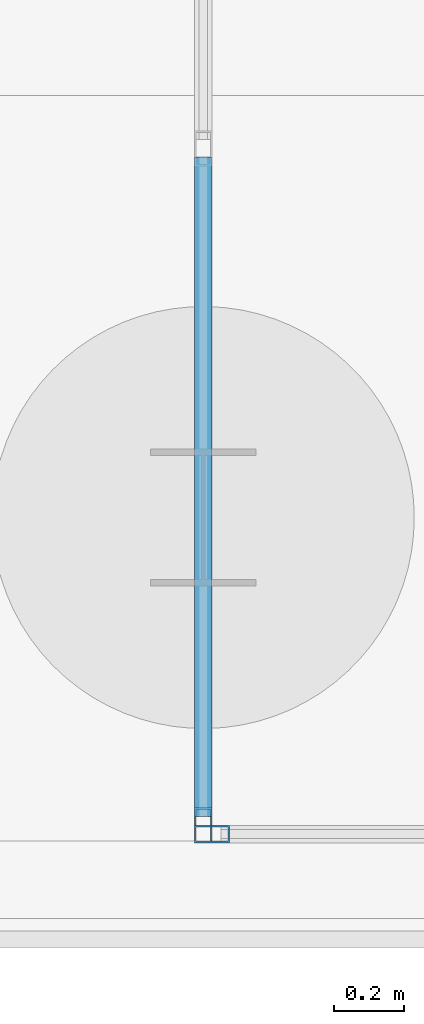
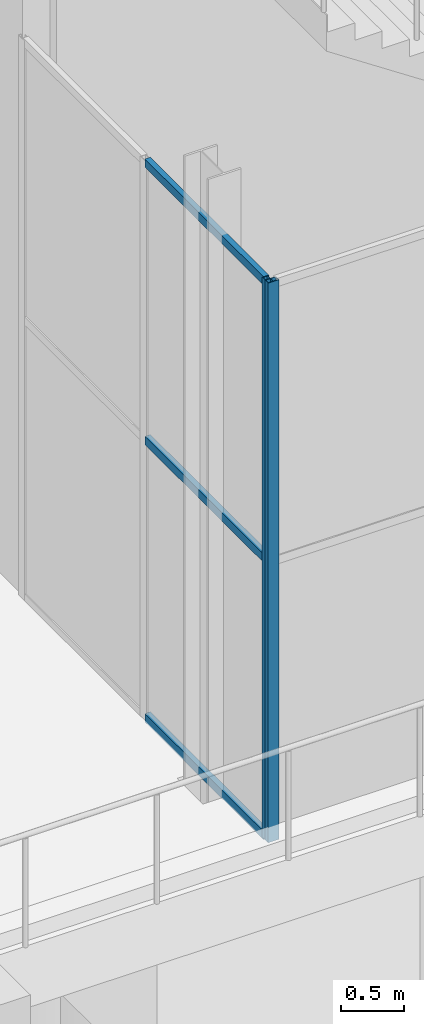
# One storey, part 114 of 212: 5 members, 2 elements without a shape of their own.
"""IFC4 building model written with IfcOpenShell, lengths in metres."""

from ifc_helpers import new_model, si_unit, direction, frame, origin, origin_2d, place, context, subcontext, project, spatial, hollow_rectangle, extrude, material, material_profile, profile_set, type_object, element, aggregate, save


model = new_model("IFC4")

# Units and contexts
model_context = context("Model", 3, precision=1e-05, world=origin(), true_north=direction((0.0, 1.0)))
body_context = subcontext(model_context, "Body", "Model", "MODEL_VIEW")
ifc_project = project(units=[si_unit("LENGTHUNIT", "METRE"), si_unit("AREAUNIT", "SQUARE_METRE"), si_unit("VOLUMEUNIT", "CUBIC_METRE"), si_unit("PLANEANGLEUNIT", "RADIAN"), si_unit("MASSUNIT", "GRAM", prefix="KILO")], contexts=[model_context])

# Site, building, storey
site_placement = place(None, origin())
site = spatial("IfcSite", under=ifc_project, at=site_placement, CompositionType="ELEMENT")
building_placement = place(site_placement, origin())
building = spatial("IfcBuilding", under=site, at=building_placement, Name="Catenary Quay Ferry Terminal", CompositionType="ELEMENT")
storey_placement = place(building_placement, origin())
storey = spatial("IfcBuildingStorey", under=building, at=storey_placement, Name="L00", CompositionType="ELEMENT", Elevation=0.0)

# Curtain wall, member
ifc_material_1 = material(Name="Aluminium and glass", Category="aluminium")
curtain_wall_type = type_object("IfcCurtainWallType", Name="CWK", PredefinedType="NOTDEFINED", material=ifc_material_1)
curtain_wall_1_placement = place(storey_placement, origin())
curtain_wall_1 = element("IfcCurtainWall", 1, at=curtain_wall_1_placement, inside=storey, type_object=curtain_wall_type, Name="Head berth 1 stair curtain wall CW76", PredefinedType="NOTDEFINED")
ifc_material_2 = material(Name="Aluminium", Category="aluminium")
ifc_material_profile_1 = material_profile(ifc_material_2, hollow_rectangle(XDim=0.050048828125, YDim=0.10009765625, WallThickness=0.0048828125, at=origin_2d()), Name="MU1")
ifc_profile_set_1 = profile_set([ifc_material_profile_1], Name="Aluminium")
member_type_1 = type_object("IfcMemberType", Name="MU1", PredefinedType="MULLION", material=ifc_profile_set_1)
member_1_placement = place(storey_placement, frame((126.02490234375, 68.699951171875, 0.0), z_axis=(0.0, 0.0, 1.0), x_axis=(0.0, 1.0, 0.0)))
member_1 = element("IfcMember", 2, at=member_1_placement, type_object=member_type_1, Name="CW76 mullion 1", PredefinedType="MULLION", context=body_context, shape_type="SweptSolid", body=[
    extrude(hollow_rectangle(XDim=0.050048828125, YDim=0.10009765625, WallThickness=0.0048828125, at=origin_2d()), origin(), (0.0, 0.0, 1.0), 5.39990234375),
])
aggregate(curtain_wall_1, [member_1])

# Curtain wall, members
curtain_wall_2_placement = place(storey_placement, origin())
curtain_wall_2 = element("IfcCurtainWall", 3, at=curtain_wall_2_placement, inside=storey, type_object=curtain_wall_type, Name="Head berth 1 stair curtain wall CW78", PredefinedType="NOTDEFINED")
member_2_placement = place(storey_placement, frame((126.0, 68.72509765625, 0.0), z_axis=(0.0, 0.0, 1.0), x_axis=(-1.0, 0.0, 0.0)))
member_2 = element("IfcMember", 4, at=member_2_placement, type_object=member_type_1, Name="CW78 mullion 1", PredefinedType="MULLION", context=body_context, shape_type="SweptSolid", body=[
    extrude(hollow_rectangle(XDim=0.050048828125, YDim=0.10009765625, WallThickness=0.0048828125, at=origin_2d()), origin(), (0.0, 0.0, 1.0), 5.39990234375),
])
ifc_material_3 = material(Name="Aluminium", Category="aluminium")
ifc_material_profile_2 = material_profile(ifc_material_3, hollow_rectangle(XDim=0.050048828125, YDim=0.080078125, WallThickness=0.00390625, at=origin_2d()), Name="TR1")
ifc_profile_set_2 = profile_set([ifc_material_profile_2], Name="Aluminium")
member_type_2 = type_object("IfcMemberType", Name="TR1", PredefinedType="USERDEFINED", material=ifc_profile_set_2)
member_3_placement = place(storey_placement, frame((126.0, 68.75, 0.02490234375), z_axis=(0.0, 1.0, 0.0), x_axis=(-1.0, 0.0, 0.0)))
member_3 = element("IfcMember", 5, at=member_3_placement, type_object=member_type_2, Name="CW78 transom 1.1", ObjectType="TRANSOM", PredefinedType="USERDEFINED", context=body_context, shape_type="SweptSolid", body=[
    extrude(hollow_rectangle(XDim=0.050048828125, YDim=0.080078125, WallThickness=0.00390625, at=origin_2d()), origin(), (0.0, 0.0, 1.0), 1.875),
])
member_4_placement = place(storey_placement, frame((126.0, 68.75, 2.699951171875), z_axis=(0.0, 1.0, 0.0), x_axis=(-1.0, 0.0, 0.0)))
member_4 = element("IfcMember", 6, at=member_4_placement, type_object=member_type_2, Name="CW78 transom 1.2", ObjectType="TRANSOM", PredefinedType="USERDEFINED", context=body_context, shape_type="SweptSolid", body=[
    extrude(hollow_rectangle(XDim=0.050048828125, YDim=0.080078125, WallThickness=0.00390625, at=origin_2d()), origin(), (0.0, 0.0, 1.0), 1.875),
])
member_5_placement = place(storey_placement, frame((126.0, 68.75, 5.375), z_axis=(0.0, 1.0, 0.0), x_axis=(-1.0, 0.0, 0.0)))
member_5 = element("IfcMember", 7, at=member_5_placement, type_object=member_type_2, Name="CW78 transom 1.3", ObjectType="TRANSOM", PredefinedType="USERDEFINED", context=body_context, shape_type="SweptSolid", body=[
    extrude(hollow_rectangle(XDim=0.050048828125, YDim=0.080078125, WallThickness=0.00390625, at=origin_2d()), origin(), (0.0, 0.0, 1.0), 1.875),
])
aggregate(curtain_wall_2, [member_2, member_3, member_4, member_5])

save(model, "model.ifc")
